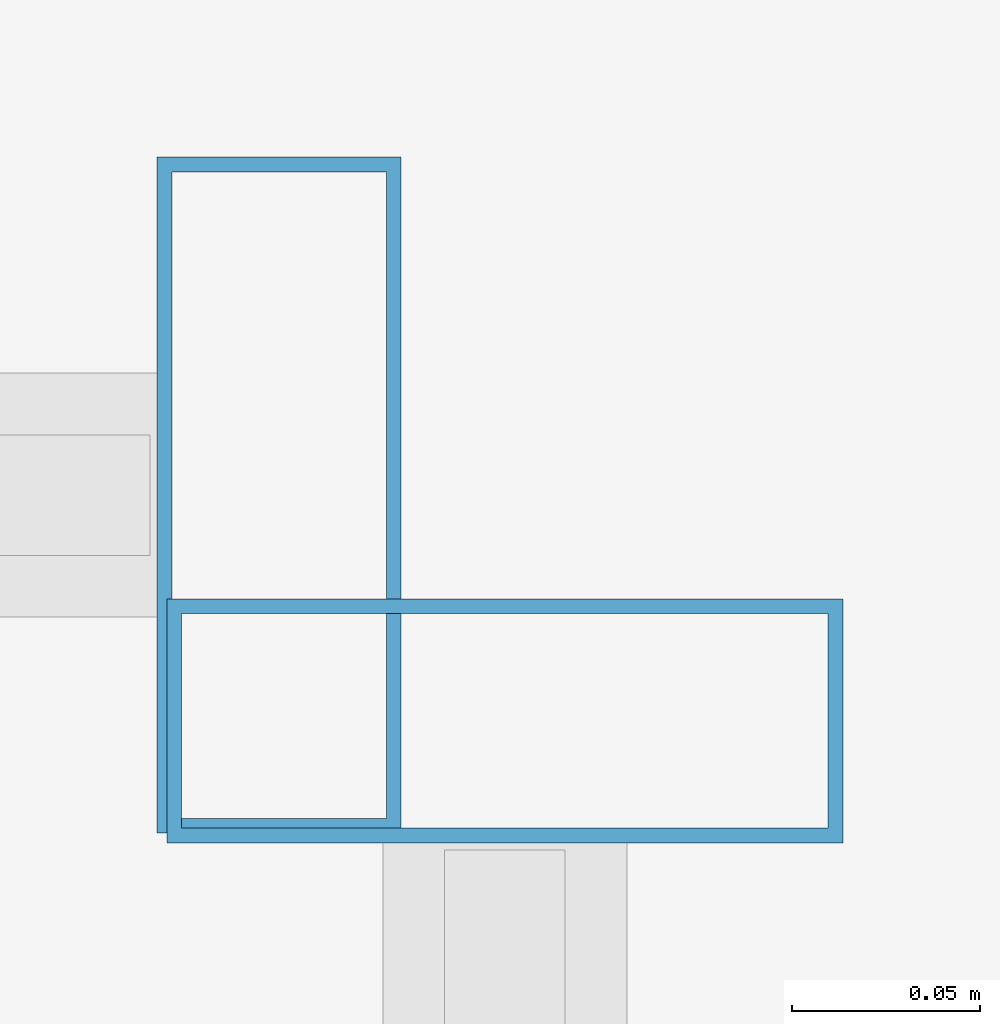
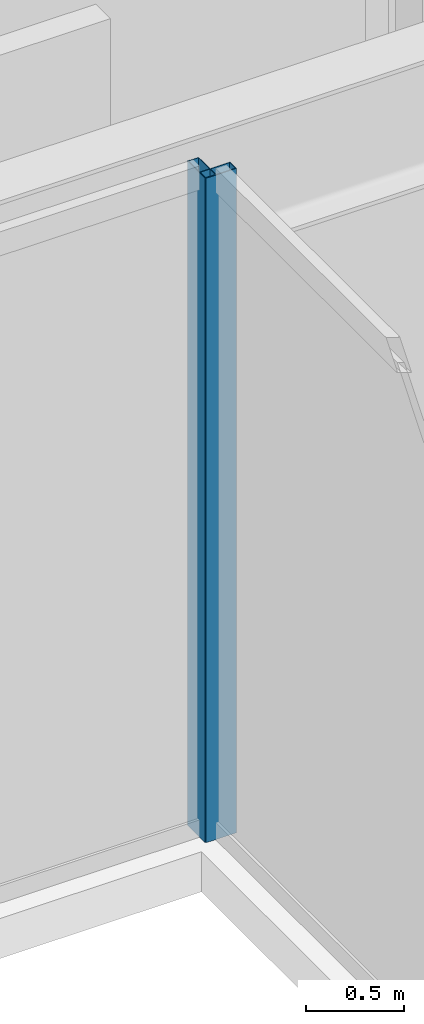
# One storey, part 14 of 37: 2 members, 2 elements without a shape of their own.
"""IFC4 building model written with IfcOpenShell, lengths in metres."""

from ifc_helpers import new_model, si_unit, direction, frame, origin, origin_2d, place, context, subcontext, project, spatial, hollow_rectangle, extrude, material, material_profile, profile_set, type_object, element, aggregate, save


model = new_model("IFC4")

# Units and contexts
model_context = context("Model", 3, precision=1e-05, world=origin(), true_north=direction((0.0, 1.0)))
body_context = subcontext(model_context, "Body", "Model", "MODEL_VIEW")
ifc_project = project(units=[si_unit("LENGTHUNIT", "METRE"), si_unit("AREAUNIT", "SQUARE_METRE"), si_unit("VOLUMEUNIT", "CUBIC_METRE"), si_unit("PLANEANGLEUNIT", "RADIAN"), si_unit("MASSUNIT", "GRAM", prefix="KILO")], contexts=[model_context])

# Site, building, storey
site_placement = place(None, origin())
site = spatial("IfcSite", under=ifc_project, at=site_placement, CompositionType="ELEMENT")
building_placement = place(site_placement, origin())
building = spatial("IfcBuilding", under=site, at=building_placement, Name="Saevonmaru Cultural Tower", CompositionType="ELEMENT")
storey_placement = place(building_placement, frame((0.0, 0.0, 114.800048828125)))
storey = spatial("IfcBuildingStorey", under=building, at=storey_placement, Name="L24", CompositionType="ELEMENT", Elevation=114.800048828125)

# Curtain wall, member
ifc_material = material(Name="Satin Bronze Anodised Aluminium", Category="aluminium")
curtain_wall_type = type_object("IfcCurtainWallType", Name="CW-ATR-GLZ", PredefinedType="NOTDEFINED", material=ifc_material)
curtain_wall_1_placement = place(storey_placement, origin())
curtain_wall_1 = element("IfcCurtainWall", 1, at=curtain_wall_1_placement, inside=storey, type_object=curtain_wall_type, Name="L24 Vertical Atrium Glazed Smoke Screen 2", PredefinedType="NOTDEFINED")
ifc_material_profile = material_profile(ifc_material, hollow_rectangle(XDim=0.06494140625, YDim=0.179931640625, WallThickness=0.00390625, at=origin_2d()), Name="ALU-MULL-180x65x4")
ifc_profile_set = profile_set([ifc_material_profile], Name="Satin Bronze Anodised Aluminium")
member_type = type_object("IfcMemberType", Name="ML-CW-INT-180x65", PredefinedType="MULLION", material=ifc_profile_set)
member_1_placement = place(storey_placement, frame((35.949951171875, 37.530029296875, 0.0), z_axis=(0.0, 0.0, 1.0), x_axis=(0.0, 1.0, 0.0)))
member_1 = element("IfcMember", 2, at=member_1_placement, type_object=member_type, Name="CW-ATR-L24-2 mullion 3", PredefinedType="MULLION", context=body_context, shape_type="SweptSolid", body=[
    extrude(hollow_rectangle(XDim=0.06494140625, YDim=0.179931640625, WallThickness=0.00390625, at=origin_2d()), origin(), (0.0, 0.0, 1.0), 4.14990234375),
])
aggregate(curtain_wall_1, [member_1])

curtain_wall_2_placement = place(storey_placement, origin())
curtain_wall_2 = element("IfcCurtainWall", 3, at=curtain_wall_2_placement, inside=storey, type_object=curtain_wall_type, Name="L24 Vertical Atrium Glazed Smoke Screen 3", PredefinedType="NOTDEFINED")
member_2_placement = place(storey_placement, frame((35.889892578125, 37.590087890625, 0.0), z_axis=(0.0, 0.0, 1.0), x_axis=(-1.0, 0.0, 0.0)))
member_2 = element("IfcMember", 4, at=member_2_placement, type_object=member_type, Name="CW-ATR-L24-3 mullion 1", PredefinedType="MULLION", context=body_context, shape_type="SweptSolid", body=[
    extrude(hollow_rectangle(XDim=0.06494140625, YDim=0.179931640625, WallThickness=0.00390625, at=origin_2d()), origin(), (0.0, 0.0, 1.0), 4.14990234375),
])
aggregate(curtain_wall_2, [member_2])

save(model, "model.ifc")
